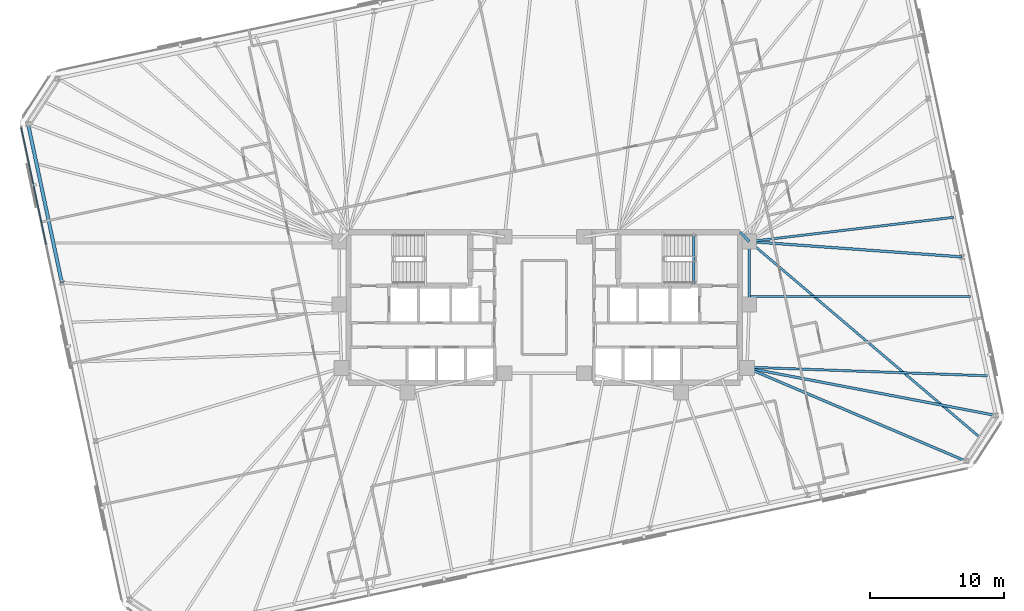
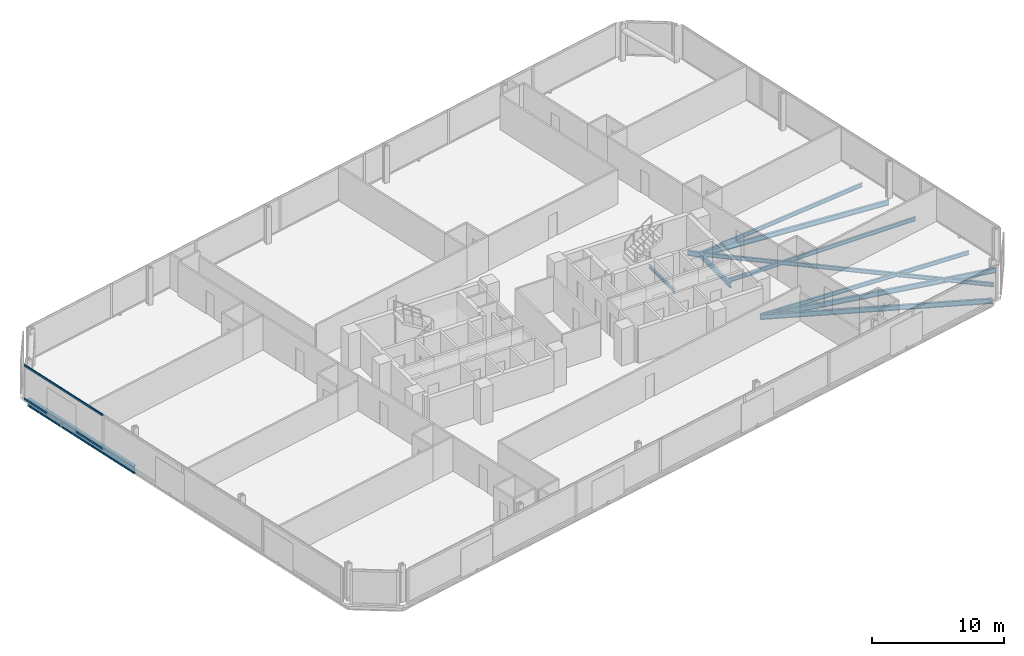
# One storey, part 8 of 19: 11 beams, 2 members, 1 element without a shape of its own.
"""IFC4 building model written with IfcOpenShell, lengths in metres."""

from ifc_helpers import new_model, si_unit, direction, frame, origin, origin_2d, place, context, subcontext, project, spatial, rectangle, i_section, extrude, material, material_profile, profile_set, type_object, element, aggregate, save


model = new_model("IFC4")

# Units and contexts
model_context = context("Model", 3, precision=1e-05, world=origin(), true_north=direction((0.0, 1.0)))
body_context = subcontext(model_context, "Body", "Model", "MODEL_VIEW")
ifc_project = project(units=[si_unit("LENGTHUNIT", "METRE"), si_unit("AREAUNIT", "SQUARE_METRE"), si_unit("VOLUMEUNIT", "CUBIC_METRE"), si_unit("PLANEANGLEUNIT", "RADIAN"), si_unit("MASSUNIT", "GRAM", prefix="KILO")], contexts=[model_context])

# Site, building, storey
site_placement = place(None, origin())
site = spatial("IfcSite", under=ifc_project, at=site_placement, CompositionType="ELEMENT")
building_placement = place(site_placement, origin())
building = spatial("IfcBuilding", under=site, at=building_placement, Name="Menara Jurai Vektor", CompositionType="ELEMENT")
storey_placement = place(building_placement, frame((0.0, 0.0, 151.39990234375)))
storey = spatial("IfcBuildingStorey", under=building, at=storey_placement, Name="L38", CompositionType="ELEMENT", Elevation=151.39990234375)

# Curtain wall, members
ifc_material_1 = material(Name="Anodised Pale Aluminium & Low-E Double Glazing", Category="aluminium")
curtain_wall_type = type_object("IfcCurtainWallType", Name="CW-BLK3", PredefinedType="NOTDEFINED", material=ifc_material_1)
curtain_wall_placement = place(storey_placement, origin())
curtain_wall = element("IfcCurtainWall", 1, at=curtain_wall_placement, inside=storey, type_object=curtain_wall_type, Name="Unitised Curtain Wall L38 F07", PredefinedType="NOTDEFINED")
ifc_material_2 = material(Name="Anodised Pale Aluminium Transom", Category="aluminium")
ifc_material_profile_1 = material_profile(ifc_material_2, rectangle(XDim=0.0849609375, YDim=0.175048828125, at=origin_2d()), Name="ALU TRN 85x175")
ifc_profile_set_1 = profile_set([ifc_material_profile_1], Name="Anodised Pale Aluminium Transom")
member_type = type_object("IfcMemberType", Name="CW-BLK3-TRN", PredefinedType="USERDEFINED", material=ifc_profile_set_1)
member_1_placement = place(storey_placement, frame((-38.896728515625, 13.378173828125, 0.04248046875), z_axis=(0.207899517354, -0.978150188204, 0.0), x_axis=(0.978150188204, 0.207899517354, 0.0)))
member_1 = element("IfcMember", 2, at=member_1_placement, type_object=member_type, Name="CW-03 transom 1.1", ObjectType="TRANSOM", PredefinedType="USERDEFINED", context=body_context, shape_type="SweptSolid", body=[
    extrude(rectangle(XDim=0.0849609375, YDim=0.175048828125, at=origin_2d()), origin(), (0.0, 0.0, 1.0), 8.882568359375),
])
member_2_placement = place(storey_placement, frame((-38.896728515625, 13.378173828125, 3.132568359375), z_axis=(0.207899517354, -0.978150188204, 0.0), x_axis=(0.978150188204, 0.207899517354, 0.0)))
member_2 = element("IfcMember", 3, at=member_2_placement, type_object=member_type, Name="CW-03 transom 1.2", ObjectType="TRANSOM", PredefinedType="USERDEFINED", context=body_context, shape_type="SweptSolid", body=[
    extrude(rectangle(XDim=0.0849609375, YDim=0.175048828125, at=origin_2d()), origin(), (0.0, 0.0, 1.0), 8.882568359375),
])
aggregate(curtain_wall, [member_1, member_2])

# Beams
ifc_material_3 = material(Name="Steel S355", Category="steel")
ifc_material_profile_2 = material_profile(ifc_material_3, i_section(OverallWidth=0.19091796875, OverallDepth=0.4599609375, WebThickness=0.010009765625, FlangeThickness=0.01611328125, FilletRadius=0.010009765625, at=origin_2d()), Name="UKB 457x191x82")
ifc_profile_set_2 = profile_set([ifc_material_profile_2], Name="Steel S355")
beam_type_1 = type_object("IfcBeamType", Name="STR-BM-457", PredefinedType="BEAM", material=ifc_profile_set_2)
beam_1_placement = place(storey_placement, frame((14.56005859375, 5.60009765625, -0.454833984375), z_axis=(0.701871936926, -0.712303154672, 0.0), x_axis=(0.712303154672, 0.701871936926, 0.0)))
element("IfcBeam", 4, at=beam_1_placement, inside=storey, type_object=beam_type_1, Name="Core Ring Header Girder L38-CHE-N2", PredefinedType="BEAM", context=body_context, shape_type="SweptSolid", body=[
    extrude(i_section(OverallWidth=0.19091796875, OverallDepth=0.4599609375, WebThickness=0.010009765625, FlangeThickness=0.01611328125, FilletRadius=0.010009765625, at=origin_2d()), origin(), (0.0, 0.0, 1.0), 0.98291015625),
])
beam_2_placement = place(storey_placement, frame((15.25, 0.219970703125, -0.454833984375), z_axis=(0.0, 1.0, 0.0), x_axis=(-1.0, 0.0, 0.0)))
element("IfcBeam", 5, at=beam_2_placement, inside=storey, type_object=beam_type_1, Name="Core Ring Header Girder L38-CHE-E1", PredefinedType="BEAM", context=body_context, shape_type="SweptSolid", body=[
    extrude(i_section(OverallWidth=0.19091796875, OverallDepth=0.4599609375, WebThickness=0.010009765625, FlangeThickness=0.01611328125, FilletRadius=0.010009765625, at=origin_2d()), origin(), (0.0, 0.0, 1.0), 4.679931640625),
])
beam_3_placement = place(storey_placement, frame((31.376220703125, -11.438720703125, -0.454833984375), z_axis=(-0.920069342045, 0.391755543458, 0.0), x_axis=(-0.391755543458, -0.920069342045, 0.0)))
element("IfcBeam", 6, at=beam_3_placement, inside=storey, type_object=beam_type_1, Name="Radial Floor Girder L38-S6", PredefinedType="BEAM", context=body_context, shape_type="SweptSolid", body=[
    extrude(i_section(OverallWidth=0.19091796875, OverallDepth=0.4599609375, WebThickness=0.010009765625, FlangeThickness=0.01611328125, FilletRadius=0.010009765625, at=origin_2d()), origin(), (0.0, 0.0, 1.0), 17.7119140625),
])
beam_4_placement = place(storey_placement, frame((33.588623046875, -8.031982421875, -0.454833984375), z_axis=(-0.982274660407, 0.187447303322, 0.0), x_axis=(-0.187447303322, -0.982274660407, 0.0)))
element("IfcBeam", 7, at=beam_4_placement, inside=storey, type_object=beam_type_1, Name="Radial Floor Girder L38-E1", PredefinedType="BEAM", context=body_context, shape_type="SweptSolid", body=[
    extrude(i_section(OverallWidth=0.19091796875, OverallDepth=0.4599609375, WebThickness=0.010009765625, FlangeThickness=0.01611328125, FilletRadius=0.010009765625, at=origin_2d()), origin(), (0.0, 0.0, 1.0), 18.842529296875),
])
beam_5_placement = place(storey_placement, frame((31.082763671875, 3.75634765625, -0.454833984375), z_axis=(-0.997401783921, 0.072039443584, 0.0), x_axis=(-0.072039443584, -0.997401783921, 0.0)))
element("IfcBeam", 8, at=beam_5_placement, inside=storey, type_object=beam_type_1, Name="Radial Floor Girder L38-E2", PredefinedType="BEAM", context=body_context, shape_type="SweptSolid", body=[
    extrude(i_section(OverallWidth=0.19091796875, OverallDepth=0.4599609375, WebThickness=0.010009765625, FlangeThickness=0.01611328125, FilletRadius=0.010009765625, at=origin_2d()), origin(), (0.0, 0.0, 1.0), 15.8740234375),
])
ifc_material_profile_3 = material_profile(ifc_material_3, i_section(OverallWidth=0.172119140625, OverallDepth=0.35498046875, WebThickness=0.007080078125, FlangeThickness=0.011962890625, FilletRadius=0.010009765625, at=origin_2d()), Name="UKB 356x171x51")
ifc_profile_set_3 = profile_set([ifc_material_profile_3], Name="Steel S355")
beam_type_2 = type_object("IfcBeamType", Name="STR-JS-356", PredefinedType="JOIST", material=ifc_profile_set_3)
beam_6_placement = place(storey_placement, frame((32.482421875, -9.7353515625, -0.40234375), z_axis=(-0.762207822165, 0.6473323998, 0.0), x_axis=(-0.6473323998, -0.762207822165, 0.0)))
element("IfcBeam", 9, at=beam_6_placement, inside=storey, type_object=beam_type_2, Name="Radial Secondary Floor Joist L38-JS10", PredefinedType="JOIST", context=body_context, shape_type="SweptSolid", body=[
    extrude(i_section(OverallWidth=0.172119140625, OverallDepth=0.35498046875, WebThickness=0.007080078125, FlangeThickness=0.011962890625, FilletRadius=0.010009765625, at=origin_2d()), origin(), (0.0, 0.0, 1.0), 22.608642578125),
])
beam_7_placement = place(storey_placement, frame((32.962158203125, -5.0849609375, -0.40234375), z_axis=(-0.999351908775, 0.035996700238, 0.0), x_axis=(-0.035996700238, -0.999351908775, 0.0)))
element("IfcBeam", 10, at=beam_7_placement, inside=storey, type_object=beam_type_2, Name="Radial Secondary Floor Joist L38-JS11", PredefinedType="JOIST", context=body_context, shape_type="SweptSolid", body=[
    extrude(i_section(OverallWidth=0.172119140625, OverallDepth=0.35498046875, WebThickness=0.007080078125, FlangeThickness=0.011962890625, FilletRadius=0.010009765625, at=origin_2d()), origin(), (0.0, 0.0, 1.0), 17.8916015625),
])
beam_8_placement = place(storey_placement, frame((31.709228515625, 0.809326171875, -0.40234375), z_axis=(-1.0, 0.0, 0.0), x_axis=(0.0, -1.0, 0.0)))
element("IfcBeam", 11, at=beam_8_placement, inside=storey, type_object=beam_type_2, Name="Radial Secondary Floor Joist L38-JS12", PredefinedType="JOIST", context=body_context, shape_type="SweptSolid", body=[
    extrude(i_section(OverallWidth=0.172119140625, OverallDepth=0.35498046875, WebThickness=0.007080078125, FlangeThickness=0.011962890625, FilletRadius=0.010009765625, at=origin_2d()), origin(), (0.0, 0.0, 1.0), 16.459228515625),
])
beam_9_placement = place(storey_placement, frame((30.456298828125, 6.70361328125, -0.40234375), z_axis=(-0.993038492178, -0.11779029269, 0.0), x_axis=(0.11779029269, -0.993038492178, 0.0)))
element("IfcBeam", 12, at=beam_9_placement, inside=storey, type_object=beam_type_2, Name="Radial Secondary Floor Joist L38-JS13", PredefinedType="JOIST", context=body_context, shape_type="SweptSolid", body=[
    extrude(i_section(OverallWidth=0.172119140625, OverallDepth=0.35498046875, WebThickness=0.007080078125, FlangeThickness=0.011962890625, FilletRadius=0.010009765625, at=origin_2d()), origin(), (0.0, 0.0, 1.0), 15.31298828125),
])
ifc_material_profile_4 = material_profile(ifc_material_3, i_section(OverallWidth=0.1650390625, OverallDepth=0.302978515625, WebThickness=0.006103515625, FlangeThickness=0.010009765625, FilletRadius=0.009033203125, at=origin_2d()), Name="UKB 305x165x40")
ifc_profile_set_4 = profile_set([ifc_material_profile_4], Name="Steel S355")
beam_type_3 = type_object("IfcBeamType", Name="STR-LN-305", PredefinedType="LINTEL", material=ifc_profile_set_4)
beam_10_placement = place(storey_placement, frame((11.1201171875, 1.60009765625, -0.37646484375), z_axis=(0.0, 1.0, 0.0), x_axis=(-1.0, 0.0, 0.0)))
element("IfcBeam", 13, at=beam_10_placement, inside=storey, type_object=beam_type_3, Name="Stair Well Floor Trimmer ST2 L38", PredefinedType="LINTEL", context=body_context, shape_type="SweptSolid", body=[
    extrude(i_section(OverallWidth=0.1650390625, OverallDepth=0.302978515625, WebThickness=0.006103515625, FlangeThickness=0.010009765625, FilletRadius=0.009033203125, at=origin_2d()), origin(), (0.0, 0.0, 1.0), 3.81982421875),
])
ifc_material_4 = material(Name="Steel S460", Category="steel")
ifc_material_profile_5 = material_profile(ifc_material_4, i_section(OverallWidth=0.256103515625, OverallDepth=0.693115234375, WebThickness=0.013916015625, FlangeThickness=0.02392578125, FilletRadius=0.014892578125, at=origin_2d()), Name="UKB 686x254x170")
ifc_profile_set_5 = profile_set([ifc_material_profile_5], Name="Steel S460")
beam_type_4 = type_object("IfcBeamType", Name="STR-SP-686", PredefinedType="SPANDREL", material=ifc_profile_set_5)
beam_11_placement = place(storey_placement, frame((-38.388671875, 13.632080078125, -0.5712890625), z_axis=(0.207921262698, -0.978145566119, 0.0), x_axis=(0.978145566119, 0.207921262698, 0.0)))
element("IfcBeam", 14, at=beam_11_placement, inside=storey, type_object=beam_type_4, Name="Exoskeleton Spandrel Beam L38-17", PredefinedType="SPANDREL", context=body_context, shape_type="SweptSolid", body=[
    extrude(i_section(OverallWidth=0.256103515625, OverallDepth=0.693115234375, WebThickness=0.013916015625, FlangeThickness=0.02392578125, FilletRadius=0.014892578125, at=origin_2d()), origin(), (0.0, 0.0, 1.0), 12.052001953125),
])

save(model, "model.ifc")
